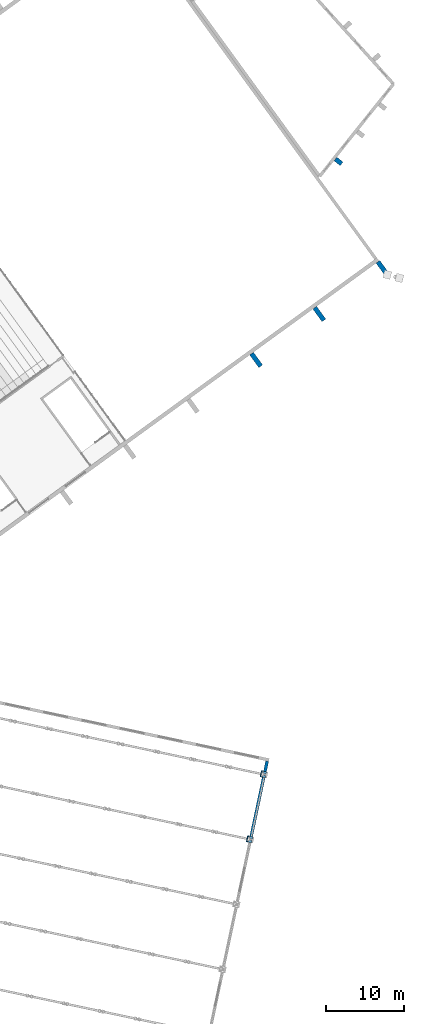
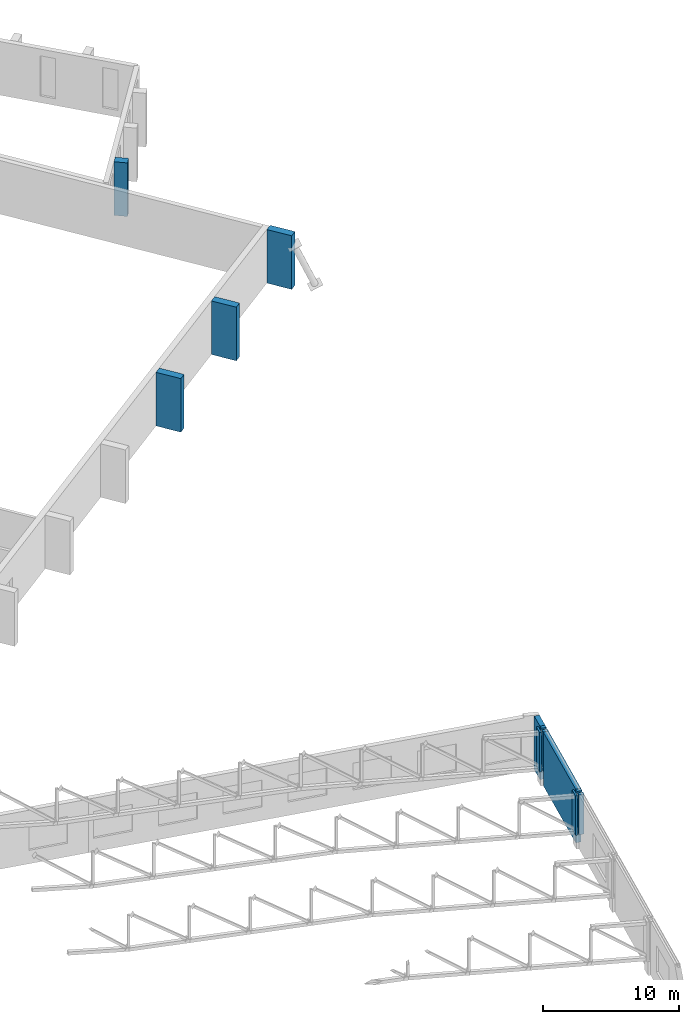
# One storey, part 148 of 182: 12 walls.
"""IFC4 building model written with IfcOpenShell, lengths in metres."""

from ifc_helpers import new_model, si_unit, direction, frame, frame_2d, origin, place, context, subcontext, project, spatial, rectangle, extrude, material, layer, layer_set, type_object, element, save


model = new_model("IFC4")

# Units and contexts
model_context = context("Model", 3, precision=1e-05, world=origin(), true_north=direction((0.0, 1.0)))
body_context = subcontext(model_context, "Body", "Model", "MODEL_VIEW")
ifc_project = project(units=[si_unit("LENGTHUNIT", "METRE"), si_unit("AREAUNIT", "SQUARE_METRE"), si_unit("VOLUMEUNIT", "CUBIC_METRE"), si_unit("PLANEANGLEUNIT", "RADIAN"), si_unit("MASSUNIT", "GRAM", prefix="KILO")], contexts=[model_context])

# Site, building, storey
site_placement = place(None, origin())
site = spatial("IfcSite", under=ifc_project, at=site_placement, CompositionType="ELEMENT")
building_placement = place(site_placement, origin())
building = spatial("IfcBuilding", under=site, at=building_placement, Name="Okhra Congress Centre", CompositionType="ELEMENT")
storey_placement = place(building_placement, frame((0.0, 0.0, 7.199951171875)))
storey = spatial("IfcBuildingStorey", under=building, at=storey_placement, Name="L01", CompositionType="ELEMENT", Elevation=7.199951171875)

# Walls
ifc_material_1 = material(Name="Concrete C35/45", Category="concrete")
ifc_layer_1 = layer(ifc_material_1, 0.60009765625)
ifc_layer_set_1 = layer_set([ifc_layer_1], Name="Buttress fin 600 R 120 C35/45")
wall_type_1 = type_object("IfcWallType", Name="Buttress fin 600 R 120 C35/45", PredefinedType="SOLIDWALL", material=ifc_layer_set_1)
for number, where, z_axis, x_axis, name in (
    (1, (262.318115234375, 179.41796875, 0.0), (0.0, 0.0, 1.0), (0.587801445368, -0.80900522917, 0.0), "Buttress fin S 10 L01"),
    (2, (270.408203125, 185.2958984375, 0.0), (0.0, 0.0, 1.0), (0.587801445368, -0.80900522917, 0.0), "Buttress fin S 20 L01"),
    (3, (278.49853515625, 191.173828125, 0.0), (0.0, 0.0, 1.0), (0.587743397701, -0.809047401861, 0.0), "Buttress fin S 30 L01"),
):
    element("IfcWall", number, at=place(storey_placement, frame(where, z_axis=z_axis, x_axis=x_axis)), inside=storey, type_object=wall_type_1, Name=name, PredefinedType="SOLIDWALL", context=body_context, shape_type="SweptSolid", body=[
        extrude(rectangle(XDim=2.0, YDim=0.60009765625, at=frame_2d((1.0, 0.0))), origin(), (0.0, 0.0, 1.0), 4.800048828125),
    ])
ifc_material_2 = material(Name="Insulated metal sandwich panel (mineral wool core)")
ifc_layer_2 = layer(ifc_material_2, 0.14990234375)
ifc_layer_set_2 = layer_set([ifc_layer_2], Name="Insulated infill panel 150")
wall_type_2 = type_object("IfcWallType", Name="Insulated infill panel 150", PredefinedType="SOLIDWALL", material=ifc_layer_set_2)
for number, where, z_axis, x_axis, name in (
    (4, (261.711669921875, 116.89697265625, 1.25), (0.0, 0.0, 1.0), (0.208132492283, 0.978100641885, 0.0), "Ballroom east wall infill 5"),
    (5, (263.47900390625, 125.211181640625, 1.25), (0.0, 0.0, 1.0), (0.207840504985, 0.978162729042, 0.0), "Ballroom east wall infill 6"),
):
    element("IfcWall", number, at=place(storey_placement, frame(where, z_axis=z_axis, x_axis=x_axis)), inside=storey, type_object=wall_type_2, Name=name, PredefinedType="SOLIDWALL", context=body_context, shape_type="SweptSolid", body=[
        extrude(rectangle(XDim=0.800048828125, YDim=0.14990234375, at=frame_2d((0.39990234375, 0.0))), origin(), (0.0, 0.0, 1.0), 3.550048828125),
    ])
ifc_layer_3 = layer(ifc_material_2, 0.39990234375)
ifc_layer_set_3 = layer_set([ifc_layer_3], Name="Insulated wall panel 400")
wall_type_3 = type_object("IfcWallType", Name="Insulated wall panel 400", PredefinedType="SOLIDWALL", material=ifc_layer_set_3)
wall_1_placement = place(storey_placement, frame((262.269287109375, 117.59619140625, 0.0), z_axis=(0.0, 0.0, 1.0), x_axis=(0.207930804564, 0.978143537786, 0.0)))
element("IfcWall", 6, at=wall_1_placement, inside=storey, type_object=wall_type_3, Name="Ballroom east wall", PredefinedType="SOLIDWALL", context=body_context, shape_type="SweptSolid", body=[
    extrude(rectangle(XDim=7.699951171875, YDim=0.39990234375, at=frame_2d((3.85009765625, 0.0))), origin(), (0.0, 0.0, 1.0), 4.800048828125),
])
wall_2_placement = place(storey_placement, frame((264.03662109375, 125.91064453125, 0.0), z_axis=(0.0, 0.0, 1.0), x_axis=(0.20799719591, 0.978129422159, 0.0)))
element("IfcWall", 7, at=wall_2_placement, inside=storey, type_object=wall_type_3, Name="Ballroom east wall", PredefinedType="SOLIDWALL", context=body_context, shape_type="SweptSolid", body=[
    extrude(rectangle(XDim=1.349853515625, YDim=0.39990234375, at=frame_2d((0.6748046875, 0.0))), origin(), (0.0, 0.0, 1.0), 4.800048828125),
])
for number, where, z_axis, x_axis, name in (
    (8, (262.10302734375, 116.813720703125, 1.25), (0.0, 0.0, 1.0), (0.208306395052, 0.978063620518, 0.0), "Ballroom east wall"),
    (9, (262.20703125, 117.302734375, 1.25), (0.0, 0.0, 1.0), (0.207527808066, 0.978229118806, 0.0), "Ballroom east wall"),
    (10, (263.870361328125, 125.1279296875, 1.25), (0.0, 0.0, 1.0), (0.207527808066, 0.978229118806, 0.0), "Ballroom east wall"),
    (11, (263.974365234375, 125.6171875, 1.25), (0.0, 0.0, 1.0), (0.207527808066, 0.978229118806, 0.0), "Ballroom east wall"),
):
    element("IfcWall", number, at=place(storey_placement, frame(where, z_axis=z_axis, x_axis=x_axis)), inside=storey, type_object=wall_type_3, Name=name, PredefinedType="SOLIDWALL", context=body_context, shape_type="SweptSolid", body=[
        extrude(rectangle(XDim=0.300048828125, YDim=0.39990234375, at=frame_2d((0.14990234375, 0.0))), origin(), (0.0, 0.0, 1.0), 3.550048828125),
    ])
ifc_layer_4 = layer(ifc_material_1, 0.60009765625)
ifc_layer_set_4 = layer_set([ifc_layer_4], Name="Stage house fin 600 R 120 C35/45")
wall_type_4 = type_object("IfcWallType", Name="Stage house fin 600 R 120 C35/45", PredefinedType="SOLIDWALL", material=ifc_layer_set_4)
wall_3_placement = place(storey_placement, frame((273.06494140625, 204.345458984375, 0.0), z_axis=(0.0, 0.0, 1.0), x_axis=(0.78058288061, -0.625052291011, 0.0)))
element("IfcWall", 12, at=wall_3_placement, inside=storey, type_object=wall_type_4, Name="Stage house fin S1 L01", PredefinedType="SOLIDWALL", context=body_context, shape_type="SweptSolid", body=[
    extrude(rectangle(XDim=1.0, YDim=0.60009765625, at=frame_2d((0.5, 0.0))), origin(), (0.0, 0.0, 1.0), 4.800048828125),
])

save(model, "model.ifc")
